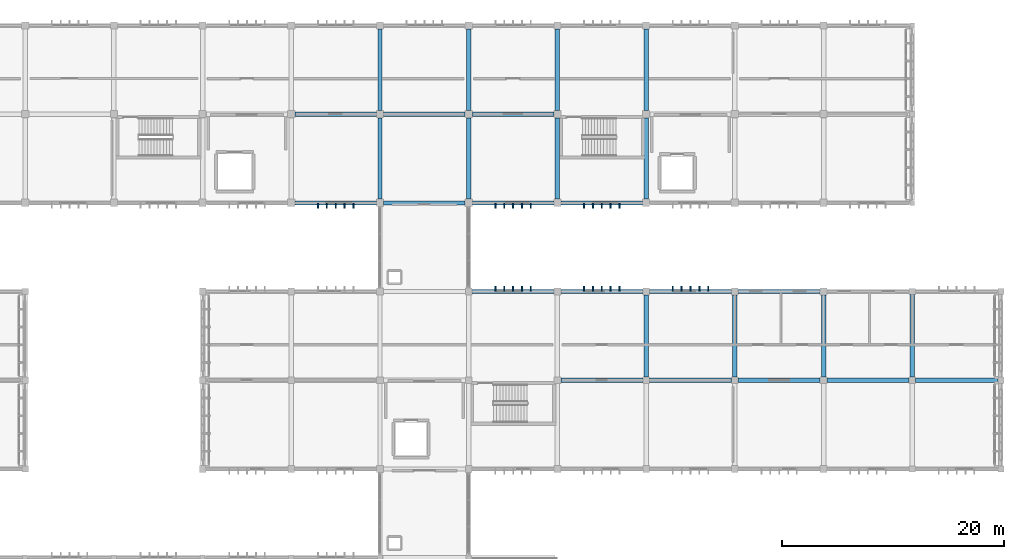
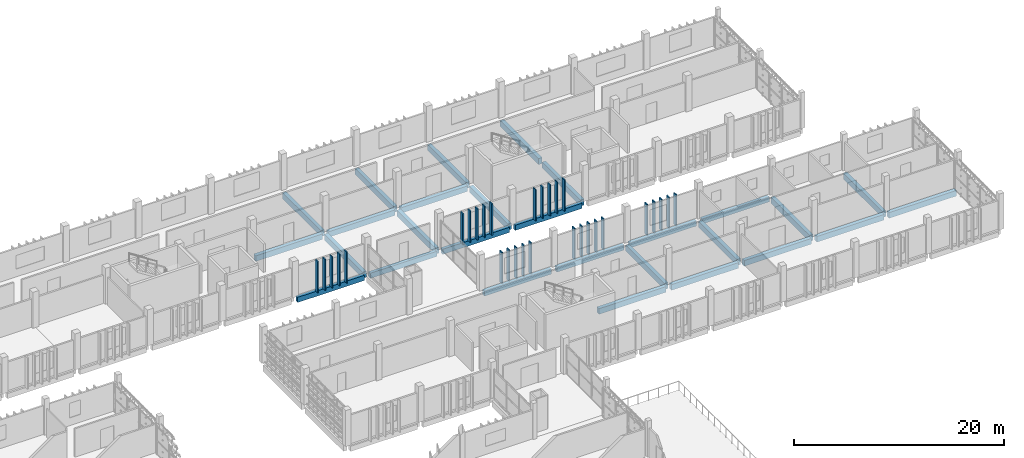
# One storey, part 33 of 63: 30 members, 28 beams.
"""IFC4 building model written with IfcOpenShell, lengths in metres."""

from ifc_helpers import new_model, si_unit, direction, frame, origin, origin_2d, place, context, subcontext, project, spatial, rectangle, extrude, material, material_profile, profile_set, type_object, element, save


model = new_model("IFC4")

# Units and contexts
model_context = context("Model", 3, precision=1e-05, world=origin(), true_north=direction((0.0, 1.0)))
body_context = subcontext(model_context, "Body", "Model", "MODEL_VIEW")
ifc_project = project(units=[si_unit("LENGTHUNIT", "METRE"), si_unit("AREAUNIT", "SQUARE_METRE"), si_unit("VOLUMEUNIT", "CUBIC_METRE"), si_unit("PLANEANGLEUNIT", "RADIAN"), si_unit("MASSUNIT", "GRAM", prefix="KILO")], contexts=[model_context])

# Site, building, storey
site_placement = place(None, origin())
site = spatial("IfcSite", under=ifc_project, at=site_placement, CompositionType="ELEMENT")
building_placement = place(site_placement, origin())
building = spatial("IfcBuilding", under=site, at=building_placement, Name="Jelvoka-Kovrelna Polytechnic", CompositionType="ELEMENT")
storey_placement = place(building_placement, frame((0.0, 0.0, 18.0)))
storey = spatial("IfcBuildingStorey", under=building, at=storey_placement, Name="L05", CompositionType="ELEMENT", Elevation=18.0)

# Beams
ifc_material_1 = material(Name="Concrete C40/50", Category="concrete")
ifc_material_profile_1 = material_profile(ifc_material_1, rectangle(XDim=0.39990234375, YDim=0.64990234375, at=origin_2d()), Name="RC 400x650")
ifc_profile_set_1 = profile_set([ifc_material_profile_1], Name="Concrete C40/50")
beam_type_1 = type_object("IfcBeamType", Name="Beam_RC_400x650", PredefinedType="BEAM", material=ifc_profile_set_1)
for number, where, z_axis, x_axis, name in (
    (1, (160.304931640625, 40.0, -0.574951171875), (1.0, 0.0, 0.0), (0.0, 1.0, 0.0), "L05 beam 1471"),
    (2, (168.304931640625, 40.0, -0.574951171875), (1.0, 0.0, 0.0), (0.0, 1.0, 0.0), "L05 beam 1472"),
    (3, (176.304931640625, 40.0, -0.574951171875), (1.0, 0.0, 0.0), (0.0, 1.0, 0.0), "L05 beam 1473"),
):
    element("IfcBeam", number, at=place(storey_placement, frame(where, z_axis=z_axis, x_axis=x_axis)), inside=storey, type_object=beam_type_1, Name=name, PredefinedType="BEAM", context=body_context, shape_type="SweptSolid", body=[
        extrude(rectangle(XDim=0.39990234375, YDim=0.64990234375, at=origin_2d()), origin(), (0.0, 0.0, 1.0), 7.39013671875),
    ])
beam_1_placement = place(storey_placement, frame((184.304931640625, 40.0, -0.574951171875), z_axis=(1.0, 0.0, 0.0), x_axis=(0.0, 1.0, 0.0)))
element("IfcBeam", 4, at=beam_1_placement, inside=storey, type_object=beam_type_1, Name="L05 beam 1474", PredefinedType="BEAM", context=body_context, shape_type="SweptSolid", body=[
    extrude(rectangle(XDim=0.39990234375, YDim=0.64990234375, at=origin_2d()), origin(), (0.0, 0.0, 1.0), 7.4150390625),
])
beam_2_placement = place(storey_placement, frame((192.280029296875, 40.0, -0.574951171875), z_axis=(1.0, 0.0, 0.0), x_axis=(0.0, 1.0, 0.0)))
element("IfcBeam", 5, at=beam_2_placement, inside=storey, type_object=beam_type_1, Name="L05 beam 1475", PredefinedType="BEAM", context=body_context, shape_type="SweptSolid", body=[
    extrude(rectangle(XDim=0.39990234375, YDim=0.64990234375, at=origin_2d()), origin(), (0.0, 0.0, 1.0), 7.43994140625),
])
for number, where, z_axis, x_axis, name in (
    (6, (136.330078125, 64.0, -0.574951171875), (1.0, 0.0, 0.0), (0.0, 1.0, 0.0), "L05 beam 1553"),
    (7, (144.330078125, 64.0, -0.574951171875), (1.0, 0.0, 0.0), (0.0, 1.0, 0.0), "L05 beam 1554"),
    (8, (152.330078125, 64.0, -0.574951171875), (1.0, 0.0, 0.0), (0.0, 1.0, 0.0), "L05 beam 1555"),
):
    element("IfcBeam", number, at=place(storey_placement, frame(where, z_axis=z_axis, x_axis=x_axis)), inside=storey, type_object=beam_type_1, Name=name, PredefinedType="BEAM", context=body_context, shape_type="SweptSolid", body=[
        extrude(rectangle(XDim=0.39990234375, YDim=0.64990234375, at=origin_2d()), origin(), (0.0, 0.0, 1.0), 7.33984375),
    ])
ifc_material_2 = material(Name="Concrete C40/50", Category="concrete")
ifc_material_profile_2 = material_profile(ifc_material_2, rectangle(XDim=0.39990234375, YDim=0.699951171875, at=origin_2d()), Name="RC 400x700")
ifc_profile_set_2 = profile_set([ifc_material_profile_2], Name="Concrete C40/50")
beam_type_2 = type_object("IfcBeamType", Name="Beam_RC_400x700", PredefinedType="BEAM", material=ifc_profile_set_2)
for number, where, z_axis, x_axis, name in (
    (9, (168.0, 40.304931640625, -0.60009765625), (0.0, 1.0, 0.0), (-1.0, 0.0, 0.0), "L05 beam 1496"),
    (10, (176.0, 40.304931640625, -0.60009765625), (0.0, 1.0, 0.0), (-1.0, 0.0, 0.0), "L05 beam 1498"),
    (11, (184.0, 40.304931640625, -0.60009765625), (0.0, 1.0, 0.0), (-1.0, 0.0, 0.0), "L05 beam 1500"),
):
    element("IfcBeam", number, at=place(storey_placement, frame(where, z_axis=z_axis, x_axis=x_axis)), inside=storey, type_object=beam_type_2, Name=name, PredefinedType="BEAM", context=body_context, shape_type="SweptSolid", body=[
        extrude(rectangle(XDim=0.39990234375, YDim=0.699951171875, at=origin_2d()), origin(), (0.0, 0.0, 1.0), 7.39013671875),
    ])
beam_3_placement = place(storey_placement, frame((192.0, 40.280029296875, -0.60009765625), z_axis=(0.0, 1.0, 0.0), x_axis=(-1.0, 0.0, 0.0)))
element("IfcBeam", 12, at=beam_3_placement, inside=storey, type_object=beam_type_2, Name="L05 beam 1502", PredefinedType="BEAM", context=body_context, shape_type="SweptSolid", body=[
    extrude(rectangle(XDim=0.39990234375, YDim=0.699951171875, at=origin_2d()), origin(), (0.0, 0.0, 1.0), 7.43994140625),
])
for number, where, z_axis, x_axis, name in (
    (13, (144.0, 56.330078125, -0.60009765625), (0.0, 1.0, 0.0), (-1.0, 0.0, 0.0), "L05 beam 1575"),
    (14, (144.0, 64.330078125, -0.60009765625), (0.0, 1.0, 0.0), (-1.0, 0.0, 0.0), "L05 beam 1576"),
    (15, (152.0, 56.330078125, -0.60009765625), (0.0, 1.0, 0.0), (-1.0, 0.0, 0.0), "L05 beam 1577"),
    (16, (152.0, 64.330078125, -0.60009765625), (0.0, 1.0, 0.0), (-1.0, 0.0, 0.0), "L05 beam 1578"),
    (17, (160.0, 56.330078125, -0.60009765625), (0.0, 1.0, 0.0), (-1.0, 0.0, 0.0), "L05 beam 1579"),
    (18, (160.0, 64.330078125, -0.60009765625), (0.0, 1.0, 0.0), (-1.0, 0.0, 0.0), "L05 beam 1580"),
    (19, (168.0, 56.330078125, -0.60009765625), (0.0, 1.0, 0.0), (-1.0, 0.0, 0.0), "L05 beam 1581"),
    (20, (168.0, 64.330078125, -0.60009765625), (0.0, 1.0, 0.0), (-1.0, 0.0, 0.0), "L05 beam 1582"),
):
    element("IfcBeam", number, at=place(storey_placement, frame(where, z_axis=z_axis, x_axis=x_axis)), inside=storey, type_object=beam_type_2, Name=name, PredefinedType="BEAM", context=body_context, shape_type="SweptSolid", body=[
        extrude(rectangle(XDim=0.39990234375, YDim=0.699951171875, at=origin_2d()), origin(), (0.0, 0.0, 1.0), 7.33984375),
    ])

# Members
ifc_material_3 = material(Name="Precast concrete C40/50", Category="concrete")
ifc_material_profile_3 = material_profile(ifc_material_3, rectangle(XDim=0.1201171875, YDim=0.449951171875, at=origin_2d()), Name="PC 120x450")
ifc_profile_set_3 = profile_set([ifc_material_profile_3], Name="Precast concrete C40/50")
member_type = type_object("IfcMemberType", Name="Louvre_Fin_120x450", PredefinedType="USERDEFINED", material=ifc_profile_set_3)
for number, where, z_axis, x_axis, name in (
    (21, (154.39990234375, 48.264892578125, -0.27001953125), (0.0, 0.0, 1.0), (1.0, 0.0, 0.0), "L05 B2E north vertical solar louvre fin 1031"),
    (22, (155.199951171875, 48.264892578125, -0.27001953125), (0.0, 0.0, 1.0), (1.0, 0.0, 0.0), "L05 B2E north vertical solar louvre fin 1032"),
    (23, (156.0, 48.264892578125, -0.27001953125), (0.0, 0.0, 1.0), (1.0, 0.0, 0.0), "L05 B2E north vertical solar louvre fin 1033"),
    (24, (156.800048828125, 48.264892578125, -0.27001953125), (0.0, 0.0, 1.0), (1.0, 0.0, 0.0), "L05 B2E north vertical solar louvre fin 1034"),
    (25, (157.60009765625, 48.264892578125, -0.27001953125), (0.0, 0.0, 1.0), (1.0, 0.0, 0.0), "L05 B2E north vertical solar louvre fin 1035"),
    (26, (162.39990234375, 48.264892578125, -0.27001953125), (0.0, 0.0, 1.0), (1.0, 0.0, 0.0), "L05 B2E north vertical solar louvre fin 1041"),
    (27, (163.199951171875, 48.264892578125, -0.27001953125), (0.0, 0.0, 1.0), (1.0, 0.0, 0.0), "L05 B2E north vertical solar louvre fin 1042"),
    (28, (164.0, 48.264892578125, -0.27001953125), (0.0, 0.0, 1.0), (1.0, 0.0, 0.0), "L05 B2E north vertical solar louvre fin 1043"),
    (29, (164.800048828125, 48.264892578125, -0.27001953125), (0.0, 0.0, 1.0), (1.0, 0.0, 0.0), "L05 B2E north vertical solar louvre fin 1044"),
    (30, (165.60009765625, 48.264892578125, -0.27001953125), (0.0, 0.0, 1.0), (1.0, 0.0, 0.0), "L05 B2E north vertical solar louvre fin 1045"),
    (31, (170.39990234375, 48.264892578125, -0.27001953125), (0.0, 0.0, 1.0), (1.0, 0.0, 0.0), "L05 B2E north vertical solar louvre fin 1051"),
    (32, (171.199951171875, 48.264892578125, -0.27001953125), (0.0, 0.0, 1.0), (1.0, 0.0, 0.0), "L05 B2E north vertical solar louvre fin 1052"),
    (33, (172.0, 48.264892578125, -0.27001953125), (0.0, 0.0, 1.0), (1.0, 0.0, 0.0), "L05 B2E north vertical solar louvre fin 1053"),
    (34, (172.800048828125, 48.264892578125, -0.27001953125), (0.0, 0.0, 1.0), (1.0, 0.0, 0.0), "L05 B2E north vertical solar louvre fin 1054"),
    (35, (173.60009765625, 48.264892578125, -0.27001953125), (0.0, 0.0, 1.0), (1.0, 0.0, 0.0), "L05 B2E north vertical solar louvre fin 1055"),
    (36, (138.39990234375, 55.735107421875, -0.27001953125), (0.0, 0.0, 1.0), (1.0, 0.0, 0.0), "L05 B3 south vertical solar louvre fin 1876"),
    (37, (139.199951171875, 55.735107421875, -0.27001953125), (0.0, 0.0, 1.0), (1.0, 0.0, 0.0), "L05 B3 south vertical solar louvre fin 1877"),
    (38, (140.0, 55.735107421875, -0.27001953125), (0.0, 0.0, 1.0), (1.0, 0.0, 0.0), "L05 B3 south vertical solar louvre fin 1878"),
    (39, (140.800048828125, 55.735107421875, -0.27001953125), (0.0, 0.0, 1.0), (1.0, 0.0, 0.0), "L05 B3 south vertical solar louvre fin 1879"),
    (40, (141.60009765625, 55.735107421875, -0.27001953125), (0.0, 0.0, 1.0), (1.0, 0.0, 0.0), "L05 B3 south vertical solar louvre fin 1880"),
    (41, (154.39990234375, 55.735107421875, -0.27001953125), (0.0, 0.0, 1.0), (1.0, 0.0, 0.0), "L05 B3 south vertical solar louvre fin 1891"),
    (42, (155.199951171875, 55.735107421875, -0.27001953125), (0.0, 0.0, 1.0), (1.0, 0.0, 0.0), "L05 B3 south vertical solar louvre fin 1892"),
    (43, (156.0, 55.735107421875, -0.27001953125), (0.0, 0.0, 1.0), (1.0, 0.0, 0.0), "L05 B3 south vertical solar louvre fin 1893"),
    (44, (156.800048828125, 55.735107421875, -0.27001953125), (0.0, 0.0, 1.0), (1.0, 0.0, 0.0), "L05 B3 south vertical solar louvre fin 1894"),
    (45, (157.60009765625, 55.735107421875, -0.27001953125), (0.0, 0.0, 1.0), (1.0, 0.0, 0.0), "L05 B3 south vertical solar louvre fin 1895"),
    (46, (162.39990234375, 55.735107421875, -0.27001953125), (0.0, 0.0, 1.0), (1.0, 0.0, 0.0), "L05 B3 south vertical solar louvre fin 1901"),
    (47, (163.199951171875, 55.735107421875, -0.27001953125), (0.0, 0.0, 1.0), (1.0, 0.0, 0.0), "L05 B3 south vertical solar louvre fin 1902"),
    (48, (164.0, 55.735107421875, -0.27001953125), (0.0, 0.0, 1.0), (1.0, 0.0, 0.0), "L05 B3 south vertical solar louvre fin 1903"),
    (49, (164.800048828125, 55.735107421875, -0.27001953125), (0.0, 0.0, 1.0), (1.0, 0.0, 0.0), "L05 B3 south vertical solar louvre fin 1904"),
    (50, (165.60009765625, 55.735107421875, -0.27001953125), (0.0, 0.0, 1.0), (1.0, 0.0, 0.0), "L05 B3 south vertical solar louvre fin 1905"),
):
    element("IfcMember", number, at=place(storey_placement, frame(where, z_axis=z_axis, x_axis=x_axis)), inside=storey, type_object=member_type, Name=name, ObjectType="SUNSHADE", PredefinedType="USERDEFINED", context=body_context, shape_type="SweptSolid", body=[
        extrude(rectangle(XDim=0.1201171875, YDim=0.449951171875, at=origin_2d()), origin(), (0.0, 0.0, 1.0), 3.655029296875),
    ])

# Beams
ifc_material_4 = material(Name="Concrete C40/50", Category="concrete")
ifc_material_profile_4 = material_profile(ifc_material_4, rectangle(XDim=0.35009765625, YDim=0.60009765625, at=origin_2d()), Name="RC 350x600")
ifc_profile_set_4 = profile_set([ifc_material_profile_4], Name="Concrete C40/50")
beam_type_3 = type_object("IfcBeamType", Name="Spandrel_RC_350x600", PredefinedType="SPANDREL", material=ifc_profile_set_4)
for number, where, z_axis, x_axis, name in (
    (51, (152.304931640625, 48.0, -0.550048828125), (1.0, 0.0, 0.0), (0.0, 1.0, 0.0), "L05 beam 1479"),
    (52, (160.304931640625, 48.0, -0.550048828125), (1.0, 0.0, 0.0), (0.0, 1.0, 0.0), "L05 beam 1480"),
    (53, (168.304931640625, 48.0, -0.550048828125), (1.0, 0.0, 0.0), (0.0, 1.0, 0.0), "L05 beam 1481"),
    (54, (176.304931640625, 48.0, -0.550048828125), (1.0, 0.0, 0.0), (0.0, 1.0, 0.0), "L05 beam 1482"),
):
    element("IfcBeam", number, at=place(storey_placement, frame(where, z_axis=z_axis, x_axis=x_axis)), inside=storey, type_object=beam_type_3, Name=name, PredefinedType="SPANDREL", context=body_context, shape_type="SweptSolid", body=[
        extrude(rectangle(XDim=0.35009765625, YDim=0.60009765625, at=origin_2d()), origin(), (0.0, 0.0, 1.0), 7.39013671875),
    ])
for number, where, z_axis, x_axis, name in (
    (55, (136.330078125, 56.0, -0.550048828125), (1.0, 0.0, 0.0), (0.0, 1.0, 0.0), "L05 beam 1544"),
    (56, (144.330078125, 56.0, -0.550048828125), (1.0, 0.0, 0.0), (0.0, 1.0, 0.0), "L05 beam 1545"),
    (57, (152.330078125, 56.0, -0.550048828125), (1.0, 0.0, 0.0), (0.0, 1.0, 0.0), "L05 beam 1546"),
    (58, (160.330078125, 56.0, -0.550048828125), (1.0, 0.0, 0.0), (0.0, 1.0, 0.0), "L05 beam 1547"),
):
    element("IfcBeam", number, at=place(storey_placement, frame(where, z_axis=z_axis, x_axis=x_axis)), inside=storey, type_object=beam_type_3, Name=name, PredefinedType="SPANDREL", context=body_context, shape_type="SweptSolid", body=[
        extrude(rectangle(XDim=0.35009765625, YDim=0.60009765625, at=origin_2d()), origin(), (0.0, 0.0, 1.0), 7.33984375),
    ])

save(model, "model.ifc")
